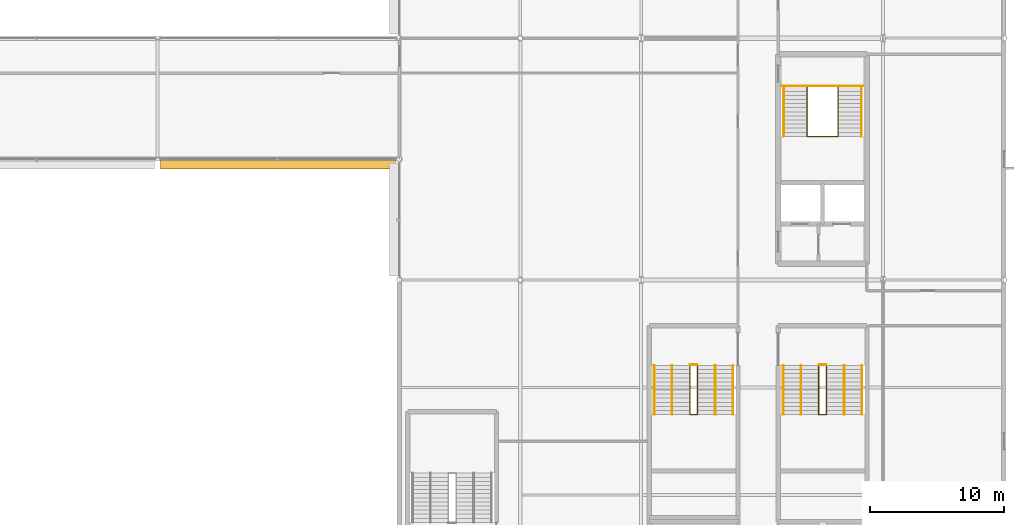
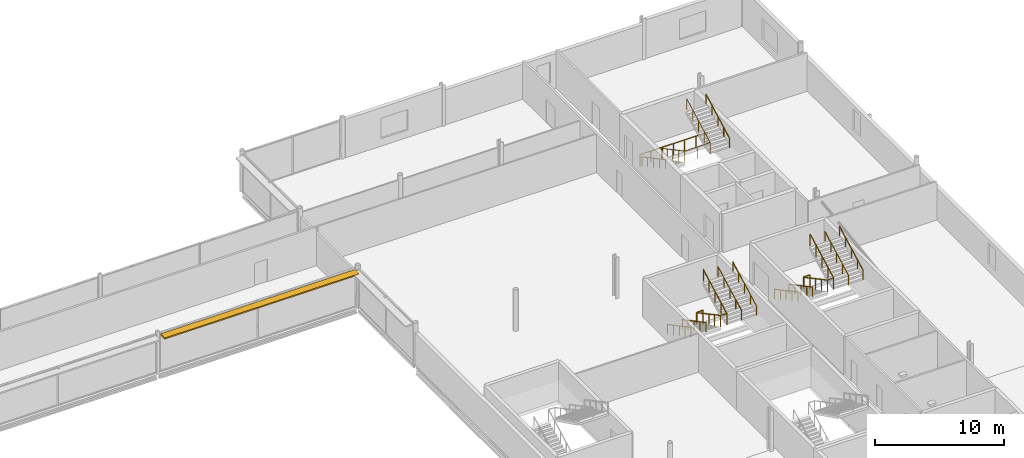
# One storey, part 94 of 96: 16 railings, 1 shading device.
"""IFC4 building model written with IfcOpenShell, lengths in metres."""

from ifc_helpers import new_model, si_unit, direction, frame, origin, origin_2d, place, context, subcontext, project, spatial, rectangle, circle, extrude, material, type_object, element, save


model = new_model("IFC4")

# Units and contexts
model_context = context("Model", 3, precision=1e-05, world=origin(), true_north=direction((0.0, 1.0)))
body_context = subcontext(model_context, "Body", "Model", "MODEL_VIEW")
ifc_project = project(units=[si_unit("LENGTHUNIT", "METRE"), si_unit("AREAUNIT", "SQUARE_METRE"), si_unit("VOLUMEUNIT", "CUBIC_METRE"), si_unit("PLANEANGLEUNIT", "RADIAN"), si_unit("MASSUNIT", "GRAM", prefix="KILO")], contexts=[model_context])

# Site, building, storey
site_placement = place(None, origin())
site = spatial("IfcSite", under=ifc_project, at=site_placement, CompositionType="ELEMENT")
building_placement = place(site_placement, origin())
building = spatial("IfcBuilding", under=site, at=building_placement, Name="Kisiwana Market Hall", CompositionType="ELEMENT")
storey_placement = place(building_placement, frame((0.0, 0.0, 25.5)))
storey = spatial("IfcBuildingStorey", under=building, at=storey_placement, Name="L05", CompositionType="ELEMENT", Elevation=25.5)

# Railings
ifc_material_1 = material(Name="Steel S275", Category="steel")
railing_type_1 = type_object("IfcRailingType", Name="RL-GUARD-1100", PredefinedType="GUARDRAIL", material=ifc_material_1)
railing_1_placement = place(storey_placement, frame((183.35009765625, 98.3505859375, 0.0)))
element("IfcRailing", 1, at=railing_1_placement, inside=storey, type_object=railing_type_1, Name="Stair ST-E1-L05 inner-well guardrail (RL-863)", PredefinedType="GUARDRAIL", context=body_context, shape_type="SweptSolid", body=[
    extrude(circle(Radius=0.02392578125, at=origin_2d()), frame((0.0, 0.0, 1.076171875), z_axis=(0.0, -0.882566327451, 0.470187917379), x_axis=(1.0, 0.0, 0.0)), (0.0, 0.0, 1.0), 4.147216796875),
    extrude(circle(Radius=0.02392578125, at=origin_2d()), frame((0.0, -3.66015625, 3.02587890625), z_axis=(1.0, 0.0, 0.0), x_axis=(0.0, 1.0, 0.0)), (0.0, 0.0, 1.0), 2.2998046875),
    extrude(circle(Radius=0.02392578125, at=origin_2d()), frame((2.2998046875, -3.66015625, 3.02587890625), z_axis=(0.0, 0.882566327451, 0.470187917379), x_axis=(-1.0, 0.0, 0.0)), (0.0, 0.0, 1.0), 4.147216796875),
    extrude(circle(Radius=0.02099609375, at=origin_2d()), origin(), (0.0, 0.0, 1.0), 1.052001953125),
    extrude(circle(Radius=0.02099609375, at=origin_2d()), frame((0.0, -0.9150390625, 0.487548828125)), (0.0, 0.0, 1.0), 1.052001953125),
    extrude(circle(Radius=0.02099609375, at=origin_2d()), frame((0.0, -1.830078125, 0.97509765625)), (0.0, 0.0, 1.0), 1.052001953125),
    extrude(circle(Radius=0.02099609375, at=origin_2d()), frame((0.0, -2.7451171875, 1.46240234375)), (0.0, 0.0, 1.0), 1.052001953125),
    extrude(circle(Radius=0.02099609375, at=origin_2d()), frame((0.0, -3.66015625, 1.949951171875)), (0.0, 0.0, 1.0), 1.052001953125),
    extrude(circle(Radius=0.02099609375, at=origin_2d()), frame((1.14990234375, -3.66015625, 1.949951171875)), (0.0, 0.0, 1.0), 1.052001953125),
    extrude(circle(Radius=0.02099609375, at=origin_2d()), frame((2.2998046875, -3.66015625, 1.949951171875)), (0.0, 0.0, 1.0), 1.052001953125),
    extrude(circle(Radius=0.02099609375, at=origin_2d()), frame((2.2998046875, -2.7451171875, 2.4375)), (0.0, 0.0, 1.0), 1.052001953125),
    extrude(circle(Radius=0.02099609375, at=origin_2d()), frame((2.2998046875, -1.830078125, 2.9248046875)), (0.0, 0.0, 1.0), 1.052001953125),
    extrude(circle(Radius=0.02099609375, at=origin_2d()), frame((2.2998046875, -0.9150390625, 3.412353515625)), (0.0, 0.0, 1.0), 1.052001953125),
    extrude(circle(Radius=0.02099609375, at=origin_2d()), frame((2.2998046875, 0.0, 3.89990234375)), (0.0, 0.0, 1.0), 1.052001953125),
])
railing_2_placement = place(storey_placement, frame((181.47998046875, 98.430419921875, 0.0)))
element("IfcRailing", 2, at=railing_2_placement, inside=storey, type_object=railing_type_1, Name="Stair ST-E1-L05 landing edge guardrail (RL-866)", PredefinedType="GUARDRAIL", context=body_context, shape_type="SweptSolid", body=[
    extrude(circle(Radius=0.02392578125, at=origin_2d()), frame((0.0, 0.0, 1.076171875), z_axis=(1.0, 0.0, 0.0), x_axis=(0.0, 1.0, 0.0)), (0.0, 0.0, 1.0), 6.0400390625),
    extrude(circle(Radius=0.02099609375, at=origin_2d()), origin(), (0.0, 0.0, 1.0), 1.052001953125),
    extrude(circle(Radius=0.02099609375, at=origin_2d()), frame((1.006591796875, 0.0, 0.0)), (0.0, 0.0, 1.0), 1.052001953125),
    extrude(circle(Radius=0.02099609375, at=origin_2d()), frame((2.013427734375, 0.0, 0.0)), (0.0, 0.0, 1.0), 1.052001953125),
    extrude(circle(Radius=0.02099609375, at=origin_2d()), frame((3.02001953125, 0.0, 0.0)), (0.0, 0.0, 1.0), 1.052001953125),
    extrude(circle(Radius=0.02099609375, at=origin_2d()), frame((4.026611328125, 0.0, 0.0)), (0.0, 0.0, 1.0), 1.052001953125),
    extrude(circle(Radius=0.02099609375, at=origin_2d()), frame((5.033447265625, 0.0, 0.0)), (0.0, 0.0, 1.0), 1.052001953125),
    extrude(circle(Radius=0.02099609375, at=origin_2d()), frame((6.0400390625, 0.0, 0.0)), (0.0, 0.0, 1.0), 1.052001953125),
])
railing_3_placement = place(storey_placement, frame((184.219970703125, 77.639892578125, 0.0)))
element("IfcRailing", 3, at=railing_3_placement, inside=storey, type_object=railing_type_1, Name="Stair ST-E4-L05 inner-well guardrail (RL-885)", PredefinedType="GUARDRAIL", context=body_context, shape_type="SweptSolid", body=[
    extrude(circle(Radius=0.02392578125, at=origin_2d()), frame((0.0, 0.0, 1.076171875), z_axis=(0.0, -0.88255331184, 0.47021234752), x_axis=(1.0, 0.0, 0.0)), (0.0, 0.0, 1.0), 4.14697265625),
    extrude(circle(Radius=0.02392578125, at=origin_2d()), frame((0.0, -3.659912109375, 3.02587890625), z_axis=(1.0, 0.0, 0.0), x_axis=(0.0, 1.0, 0.0)), (0.0, 0.0, 1.0), 0.56005859375),
    extrude(circle(Radius=0.02392578125, at=origin_2d()), frame((0.56005859375, -3.659912109375, 3.02587890625), z_axis=(0.0, 0.88255331184, 0.47021234752), x_axis=(-1.0, 0.0, 0.0)), (0.0, 0.0, 1.0), 4.14697265625),
    extrude(circle(Radius=0.02099609375, at=origin_2d()), origin(), (0.0, 0.0, 1.0), 1.052001953125),
    extrude(circle(Radius=0.02099609375, at=origin_2d()), frame((0.0, -0.9150390625, 0.487548828125)), (0.0, 0.0, 1.0), 1.052001953125),
    extrude(circle(Radius=0.02099609375, at=origin_2d()), frame((0.0, -1.830078125, 0.97509765625)), (0.0, 0.0, 1.0), 1.052001953125),
    extrude(circle(Radius=0.02099609375, at=origin_2d()), frame((0.0, -2.744873046875, 1.46240234375)), (0.0, 0.0, 1.0), 1.052001953125),
    extrude(circle(Radius=0.02099609375, at=origin_2d()), frame((0.0, -3.659912109375, 1.949951171875)), (0.0, 0.0, 1.0), 1.052001953125),
    extrude(circle(Radius=0.02099609375, at=origin_2d()), frame((0.56005859375, -3.659912109375, 1.949951171875)), (0.0, 0.0, 1.0), 1.052001953125),
    extrude(circle(Radius=0.02099609375, at=origin_2d()), frame((0.56005859375, -2.744873046875, 2.4375)), (0.0, 0.0, 1.0), 1.052001953125),
    extrude(circle(Radius=0.02099609375, at=origin_2d()), frame((0.56005859375, -1.830078125, 2.9248046875)), (0.0, 0.0, 1.0), 1.052001953125),
    extrude(circle(Radius=0.02099609375, at=origin_2d()), frame((0.56005859375, -0.9150390625, 3.412353515625)), (0.0, 0.0, 1.0), 1.052001953125),
    extrude(circle(Radius=0.02099609375, at=origin_2d()), frame((0.56005859375, 0.0, 3.89990234375)), (0.0, 0.0, 1.0), 1.052001953125),
])
railing_4_placement = place(storey_placement, frame((184.219970703125, 77.68994140625, 0.0)))
element("IfcRailing", 4, at=railing_4_placement, inside=storey, type_object=railing_type_1, Name="Stair ST-E4-L05 landing edge guardrail (RL-890)", PredefinedType="GUARDRAIL", context=body_context, shape_type="SweptSolid", body=[
    extrude(circle(Radius=0.02392578125, at=origin_2d()), frame((0.0, 0.0, 1.076171875), z_axis=(1.0, 0.0, 0.0), x_axis=(0.0, 1.0, 0.0)), (0.0, 0.0, 1.0), 0.56005859375),
    extrude(circle(Radius=0.02099609375, at=origin_2d()), origin(), (0.0, 0.0, 1.0), 1.052001953125),
    extrude(circle(Radius=0.02099609375, at=origin_2d()), frame((0.56005859375, 0.0, 0.0)), (0.0, 0.0, 1.0), 1.052001953125),
])
railing_5_placement = place(storey_placement, frame((174.6201171875, 77.639892578125, 0.0)))
element("IfcRailing", 5, at=railing_5_placement, inside=storey, type_object=railing_type_1, Name="Stair ST-E8-L05 inner-well guardrail (RL-909)", PredefinedType="GUARDRAIL", context=body_context, shape_type="SweptSolid", body=[
    extrude(circle(Radius=0.02392578125, at=origin_2d()), frame((0.0, 0.0, 1.076171875), z_axis=(0.0, -0.88255331184, 0.47021234752), x_axis=(1.0, 0.0, 0.0)), (0.0, 0.0, 1.0), 4.14697265625),
    extrude(circle(Radius=0.02392578125, at=origin_2d()), frame((0.0, -3.659912109375, 3.02587890625), z_axis=(1.0, 0.0, 0.0), x_axis=(0.0, 1.0, 0.0)), (0.0, 0.0, 1.0), 0.559814453125),
    extrude(circle(Radius=0.02392578125, at=origin_2d()), frame((0.559814453125, -3.659912109375, 3.02587890625), z_axis=(0.0, 0.88255331184, 0.47021234752), x_axis=(-1.0, 0.0, 0.0)), (0.0, 0.0, 1.0), 4.14697265625),
    extrude(circle(Radius=0.02099609375, at=origin_2d()), origin(), (0.0, 0.0, 1.0), 1.052001953125),
    extrude(circle(Radius=0.02099609375, at=origin_2d()), frame((0.0, -0.9150390625, 0.487548828125)), (0.0, 0.0, 1.0), 1.052001953125),
    extrude(circle(Radius=0.02099609375, at=origin_2d()), frame((0.0, -1.830078125, 0.97509765625)), (0.0, 0.0, 1.0), 1.052001953125),
    extrude(circle(Radius=0.02099609375, at=origin_2d()), frame((0.0, -2.744873046875, 1.46240234375)), (0.0, 0.0, 1.0), 1.052001953125),
    extrude(circle(Radius=0.02099609375, at=origin_2d()), frame((0.0, -3.659912109375, 1.949951171875)), (0.0, 0.0, 1.0), 1.052001953125),
    extrude(circle(Radius=0.02099609375, at=origin_2d()), frame((0.559814453125, -3.659912109375, 1.949951171875)), (0.0, 0.0, 1.0), 1.052001953125),
    extrude(circle(Radius=0.02099609375, at=origin_2d()), frame((0.559814453125, -2.744873046875, 2.4375)), (0.0, 0.0, 1.0), 1.052001953125),
    extrude(circle(Radius=0.02099609375, at=origin_2d()), frame((0.559814453125, -1.830078125, 2.9248046875)), (0.0, 0.0, 1.0), 1.052001953125),
    extrude(circle(Radius=0.02099609375, at=origin_2d()), frame((0.559814453125, -0.9150390625, 3.412353515625)), (0.0, 0.0, 1.0), 1.052001953125),
    extrude(circle(Radius=0.02099609375, at=origin_2d()), frame((0.559814453125, 0.0, 3.89990234375)), (0.0, 0.0, 1.0), 1.052001953125),
])
railing_6_placement = place(storey_placement, frame((174.6201171875, 77.68994140625, 0.0)))
element("IfcRailing", 6, at=railing_6_placement, inside=storey, type_object=railing_type_1, Name="Stair ST-E8-L05 landing edge guardrail (RL-914)", PredefinedType="GUARDRAIL", context=body_context, shape_type="SweptSolid", body=[
    extrude(circle(Radius=0.02392578125, at=origin_2d()), frame((0.0, 0.0, 1.076171875), z_axis=(1.0, 0.0, 0.0), x_axis=(0.0, 1.0, 0.0)), (0.0, 0.0, 1.0), 0.559814453125),
    extrude(circle(Radius=0.02099609375, at=origin_2d()), origin(), (0.0, 0.0, 1.0), 1.052001953125),
    extrude(circle(Radius=0.02099609375, at=origin_2d()), frame((0.559814453125, 0.0, 0.0)), (0.0, 0.0, 1.0), 1.052001953125),
])
ifc_material_2 = material(Name="Steel S275", Category="steel")
railing_type_2 = type_object("IfcRailingType", Name="RL-HAND-900", PredefinedType="HANDRAIL", material=ifc_material_2)
railing_7_placement = place(storey_placement, frame((181.610107421875, 98.3505859375, 0.0)))
element("IfcRailing", 7, at=railing_7_placement, inside=storey, type_object=railing_type_2, Name="Stair ST-E1-L05 flight 1 handrail (RL-864)", PredefinedType="HANDRAIL", context=body_context, shape_type="SweptSolid", body=[
    extrude(circle(Radius=0.02392578125, at=origin_2d()), frame((0.0, 0.0, 0.8759765625), z_axis=(0.0, -0.882566327451, 0.470187917379), x_axis=(1.0, 0.0, 0.0)), (0.0, 0.0, 1.0), 4.147216796875),
    extrude(circle(Radius=0.02099609375, at=origin_2d()), origin(), (0.0, 0.0, 1.0), 0.851806640625),
    extrude(circle(Radius=0.02099609375, at=origin_2d()), frame((0.0, -0.9150390625, 0.487548828125)), (0.0, 0.0, 1.0), 0.851806640625),
    extrude(circle(Radius=0.02099609375, at=origin_2d()), frame((0.0, -1.830078125, 0.97509765625)), (0.0, 0.0, 1.0), 0.851806640625),
    extrude(circle(Radius=0.02099609375, at=origin_2d()), frame((0.0, -2.7451171875, 1.46240234375)), (0.0, 0.0, 1.0), 0.851806640625),
    extrude(circle(Radius=0.02099609375, at=origin_2d()), frame((0.0, -3.66015625, 1.949951171875)), (0.0, 0.0, 1.0), 0.851806640625),
])
railing_8_placement = place(storey_placement, frame((187.389892578125, 94.6904296875, 1.949951171875)))
element("IfcRailing", 8, at=railing_8_placement, inside=storey, type_object=railing_type_2, Name="Stair ST-E1-L05 flight 2 handrail (RL-865)", PredefinedType="HANDRAIL", context=body_context, shape_type="SweptSolid", body=[
    extrude(circle(Radius=0.02392578125, at=origin_2d()), frame((0.0, 0.0, 0.8759765625), z_axis=(0.0, 0.882566327451, 0.470187917379), x_axis=(-1.0, 0.0, 0.0)), (0.0, 0.0, 1.0), 4.147216796875),
    extrude(circle(Radius=0.02099609375, at=origin_2d()), origin(), (0.0, 0.0, 1.0), 0.851806640625),
    extrude(circle(Radius=0.02099609375, at=origin_2d()), frame((0.0, 0.9150390625, 0.487548828125)), (0.0, 0.0, 1.0), 0.851806640625),
    extrude(circle(Radius=0.02099609375, at=origin_2d()), frame((0.0, 1.830078125, 0.97509765625)), (0.0, 0.0, 1.0), 0.851806640625),
    extrude(circle(Radius=0.02099609375, at=origin_2d()), frame((0.0, 2.7451171875, 1.46240234375)), (0.0, 0.0, 1.0), 0.851806640625),
    extrude(circle(Radius=0.02099609375, at=origin_2d()), frame((0.0, 3.66015625, 1.949951171875)), (0.0, 0.0, 1.0), 0.851806640625),
])
railing_9_placement = place(storey_placement, frame((181.570068359375, 77.639892578125, 0.0)))
element("IfcRailing", 9, at=railing_9_placement, inside=storey, type_object=railing_type_2, Name="Stair ST-E4-L05 flight 1 handrail (RL-886)", PredefinedType="HANDRAIL", context=body_context, shape_type="SweptSolid", body=[
    extrude(circle(Radius=0.02392578125, at=origin_2d()), frame((0.0, 0.0, 0.8759765625), z_axis=(0.0, -0.88255331184, 0.47021234752), x_axis=(1.0, 0.0, 0.0)), (0.0, 0.0, 1.0), 4.14697265625),
    extrude(circle(Radius=0.02099609375, at=origin_2d()), origin(), (0.0, 0.0, 1.0), 0.851806640625),
    extrude(circle(Radius=0.02099609375, at=origin_2d()), frame((0.0, -0.9150390625, 0.487548828125)), (0.0, 0.0, 1.0), 0.851806640625),
    extrude(circle(Radius=0.02099609375, at=origin_2d()), frame((0.0, -1.830078125, 0.97509765625)), (0.0, 0.0, 1.0), 0.851806640625),
    extrude(circle(Radius=0.02099609375, at=origin_2d()), frame((0.0, -2.744873046875, 1.46240234375)), (0.0, 0.0, 1.0), 0.851806640625),
    extrude(circle(Radius=0.02099609375, at=origin_2d()), frame((0.0, -3.659912109375, 1.949951171875)), (0.0, 0.0, 1.0), 0.851806640625),
])
railing_10_placement = place(storey_placement, frame((187.429931640625, 73.97998046875, 1.949951171875)))
element("IfcRailing", 10, at=railing_10_placement, inside=storey, type_object=railing_type_2, Name="Stair ST-E4-L05 flight 2 handrail (RL-887)", PredefinedType="HANDRAIL", context=body_context, shape_type="SweptSolid", body=[
    extrude(circle(Radius=0.02392578125, at=origin_2d()), frame((0.0, 0.0, 0.8759765625), z_axis=(0.0, 0.88255331184, 0.47021234752), x_axis=(-1.0, 0.0, 0.0)), (0.0, 0.0, 1.0), 4.14697265625),
    extrude(circle(Radius=0.02099609375, at=origin_2d()), origin(), (0.0, 0.0, 1.0), 0.851806640625),
    extrude(circle(Radius=0.02099609375, at=origin_2d()), frame((0.0, 0.9150390625, 0.487548828125)), (0.0, 0.0, 1.0), 0.851806640625),
    extrude(circle(Radius=0.02099609375, at=origin_2d()), frame((0.0, 1.830078125, 0.97509765625)), (0.0, 0.0, 1.0), 0.851806640625),
    extrude(circle(Radius=0.02099609375, at=origin_2d()), frame((0.0, 2.744873046875, 1.46240234375)), (0.0, 0.0, 1.0), 0.851806640625),
    extrude(circle(Radius=0.02099609375, at=origin_2d()), frame((0.0, 3.659912109375, 1.949951171875)), (0.0, 0.0, 1.0), 0.851806640625),
])
railing_11_placement = place(storey_placement, frame((182.889892578125, 77.639892578125, 0.0)))
element("IfcRailing", 11, at=railing_11_placement, inside=storey, type_object=railing_type_2, Name="Stair ST-E4-L05 flight 1 intermediate handrail (RL-888)", PredefinedType="HANDRAIL", context=body_context, shape_type="SweptSolid", body=[
    extrude(circle(Radius=0.02392578125, at=origin_2d()), frame((0.0, 0.0, 0.8759765625), z_axis=(0.0, -0.88255331184, 0.47021234752), x_axis=(1.0, 0.0, 0.0)), (0.0, 0.0, 1.0), 4.14697265625),
    extrude(circle(Radius=0.02099609375, at=origin_2d()), origin(), (0.0, 0.0, 1.0), 0.851806640625),
    extrude(circle(Radius=0.02099609375, at=origin_2d()), frame((0.0, -0.9150390625, 0.487548828125)), (0.0, 0.0, 1.0), 0.851806640625),
    extrude(circle(Radius=0.02099609375, at=origin_2d()), frame((0.0, -1.830078125, 0.97509765625)), (0.0, 0.0, 1.0), 0.851806640625),
    extrude(circle(Radius=0.02099609375, at=origin_2d()), frame((0.0, -2.744873046875, 1.46240234375)), (0.0, 0.0, 1.0), 0.851806640625),
    extrude(circle(Radius=0.02099609375, at=origin_2d()), frame((0.0, -3.659912109375, 1.949951171875)), (0.0, 0.0, 1.0), 0.851806640625),
])
railing_12_placement = place(storey_placement, frame((186.110107421875, 73.97998046875, 1.949951171875)))
element("IfcRailing", 12, at=railing_12_placement, inside=storey, type_object=railing_type_2, Name="Stair ST-E4-L05 flight 2 intermediate handrail (RL-889)", PredefinedType="HANDRAIL", context=body_context, shape_type="SweptSolid", body=[
    extrude(circle(Radius=0.02392578125, at=origin_2d()), frame((0.0, 0.0, 0.8759765625), z_axis=(0.0, 0.88255331184, 0.47021234752), x_axis=(-1.0, 0.0, 0.0)), (0.0, 0.0, 1.0), 4.14697265625),
    extrude(circle(Radius=0.02099609375, at=origin_2d()), origin(), (0.0, 0.0, 1.0), 0.851806640625),
    extrude(circle(Radius=0.02099609375, at=origin_2d()), frame((0.0, 0.9150390625, 0.487548828125)), (0.0, 0.0, 1.0), 0.851806640625),
    extrude(circle(Radius=0.02099609375, at=origin_2d()), frame((0.0, 1.830078125, 0.97509765625)), (0.0, 0.0, 1.0), 0.851806640625),
    extrude(circle(Radius=0.02099609375, at=origin_2d()), frame((0.0, 2.744873046875, 1.46240234375)), (0.0, 0.0, 1.0), 0.851806640625),
    extrude(circle(Radius=0.02099609375, at=origin_2d()), frame((0.0, 3.659912109375, 1.949951171875)), (0.0, 0.0, 1.0), 0.851806640625),
])
railing_13_placement = place(storey_placement, frame((171.969970703125, 77.639892578125, 0.0)))
element("IfcRailing", 13, at=railing_13_placement, inside=storey, type_object=railing_type_2, Name="Stair ST-E8-L05 flight 1 handrail (RL-910)", PredefinedType="HANDRAIL", context=body_context, shape_type="SweptSolid", body=[
    extrude(circle(Radius=0.02392578125, at=origin_2d()), frame((0.0, 0.0, 0.8759765625), z_axis=(0.0, -0.88255331184, 0.47021234752), x_axis=(1.0, 0.0, 0.0)), (0.0, 0.0, 1.0), 4.14697265625),
    extrude(circle(Radius=0.02099609375, at=origin_2d()), origin(), (0.0, 0.0, 1.0), 0.851806640625),
    extrude(circle(Radius=0.02099609375, at=origin_2d()), frame((0.0, -0.9150390625, 0.487548828125)), (0.0, 0.0, 1.0), 0.851806640625),
    extrude(circle(Radius=0.02099609375, at=origin_2d()), frame((0.0, -1.830078125, 0.97509765625)), (0.0, 0.0, 1.0), 0.851806640625),
    extrude(circle(Radius=0.02099609375, at=origin_2d()), frame((0.0, -2.744873046875, 1.46240234375)), (0.0, 0.0, 1.0), 0.851806640625),
    extrude(circle(Radius=0.02099609375, at=origin_2d()), frame((0.0, -3.659912109375, 1.949951171875)), (0.0, 0.0, 1.0), 0.851806640625),
])
railing_14_placement = place(storey_placement, frame((177.830078125, 73.97998046875, 1.949951171875)))
element("IfcRailing", 14, at=railing_14_placement, inside=storey, type_object=railing_type_2, Name="Stair ST-E8-L05 flight 2 handrail (RL-911)", PredefinedType="HANDRAIL", context=body_context, shape_type="SweptSolid", body=[
    extrude(circle(Radius=0.02392578125, at=origin_2d()), frame((0.0, 0.0, 0.8759765625), z_axis=(0.0, 0.88255331184, 0.47021234752), x_axis=(-1.0, 0.0, 0.0)), (0.0, 0.0, 1.0), 4.14697265625),
    extrude(circle(Radius=0.02099609375, at=origin_2d()), origin(), (0.0, 0.0, 1.0), 0.851806640625),
    extrude(circle(Radius=0.02099609375, at=origin_2d()), frame((0.0, 0.9150390625, 0.487548828125)), (0.0, 0.0, 1.0), 0.851806640625),
    extrude(circle(Radius=0.02099609375, at=origin_2d()), frame((0.0, 1.830078125, 0.97509765625)), (0.0, 0.0, 1.0), 0.851806640625),
    extrude(circle(Radius=0.02099609375, at=origin_2d()), frame((0.0, 2.744873046875, 1.46240234375)), (0.0, 0.0, 1.0), 0.851806640625),
    extrude(circle(Radius=0.02099609375, at=origin_2d()), frame((0.0, 3.659912109375, 1.949951171875)), (0.0, 0.0, 1.0), 0.851806640625),
])
railing_15_placement = place(storey_placement, frame((173.2900390625, 77.639892578125, 0.0)))
element("IfcRailing", 15, at=railing_15_placement, inside=storey, type_object=railing_type_2, Name="Stair ST-E8-L05 flight 1 intermediate handrail (RL-912)", PredefinedType="HANDRAIL", context=body_context, shape_type="SweptSolid", body=[
    extrude(circle(Radius=0.02392578125, at=origin_2d()), frame((0.0, 0.0, 0.8759765625), z_axis=(0.0, -0.88255331184, 0.47021234752), x_axis=(1.0, 0.0, 0.0)), (0.0, 0.0, 1.0), 4.14697265625),
    extrude(circle(Radius=0.02099609375, at=origin_2d()), origin(), (0.0, 0.0, 1.0), 0.851806640625),
    extrude(circle(Radius=0.02099609375, at=origin_2d()), frame((0.0, -0.9150390625, 0.487548828125)), (0.0, 0.0, 1.0), 0.851806640625),
    extrude(circle(Radius=0.02099609375, at=origin_2d()), frame((0.0, -1.830078125, 0.97509765625)), (0.0, 0.0, 1.0), 0.851806640625),
    extrude(circle(Radius=0.02099609375, at=origin_2d()), frame((0.0, -2.744873046875, 1.46240234375)), (0.0, 0.0, 1.0), 0.851806640625),
    extrude(circle(Radius=0.02099609375, at=origin_2d()), frame((0.0, -3.659912109375, 1.949951171875)), (0.0, 0.0, 1.0), 0.851806640625),
])
railing_16_placement = place(storey_placement, frame((176.510009765625, 73.97998046875, 1.949951171875)))
element("IfcRailing", 16, at=railing_16_placement, inside=storey, type_object=railing_type_2, Name="Stair ST-E8-L05 flight 2 intermediate handrail (RL-913)", PredefinedType="HANDRAIL", context=body_context, shape_type="SweptSolid", body=[
    extrude(circle(Radius=0.02392578125, at=origin_2d()), frame((0.0, 0.0, 0.8759765625), z_axis=(0.0, 0.88255331184, 0.47021234752), x_axis=(-1.0, 0.0, 0.0)), (0.0, 0.0, 1.0), 4.14697265625),
    extrude(circle(Radius=0.02099609375, at=origin_2d()), origin(), (0.0, 0.0, 1.0), 0.851806640625),
    extrude(circle(Radius=0.02099609375, at=origin_2d()), frame((0.0, 0.9150390625, 0.487548828125)), (0.0, 0.0, 1.0), 0.851806640625),
    extrude(circle(Radius=0.02099609375, at=origin_2d()), frame((0.0, 1.830078125, 0.97509765625)), (0.0, 0.0, 1.0), 0.851806640625),
    extrude(circle(Radius=0.02099609375, at=origin_2d()), frame((0.0, 2.744873046875, 1.46240234375)), (0.0, 0.0, 1.0), 0.851806640625),
    extrude(circle(Radius=0.02099609375, at=origin_2d()), frame((0.0, 3.659912109375, 1.949951171875)), (0.0, 0.0, 1.0), 0.851806640625),
])

# Shading device
ifc_material_3 = material(Name="Aluminium alloy 6063-T6", Category="aluminium")
shading_device_type = type_object("IfcShadingDeviceType", Name="SHD-JALOUSIE-H", PredefinedType="JALOUSIE", material=ifc_material_3)
shading_device_placement = place(storey_placement, frame((143.9609375, 92.580078125, 3.474853515625), z_axis=(0.0, 0.0, 1.0), x_axis=(1.0, 0.0, 0.0)))
element("IfcShadingDevice", 17, at=shading_device_placement, inside=storey, type_object=shading_device_type, Name="Aluminium brise-soleil louvre SHD-113 SD-113", PredefinedType="JALOUSIE", context=body_context, shape_type="SweptSolid", body=[
    extrude(rectangle(XDim=17.4716796875, YDim=0.64990234375, at=origin_2d()), origin(), (0.0, 0.0, 1.0), 0.1201171875),
])

save(model, "model.ifc")
